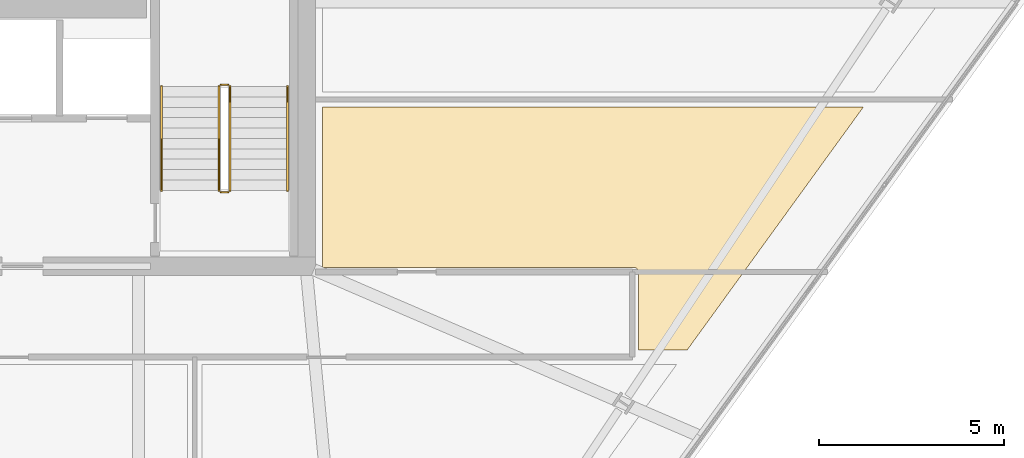
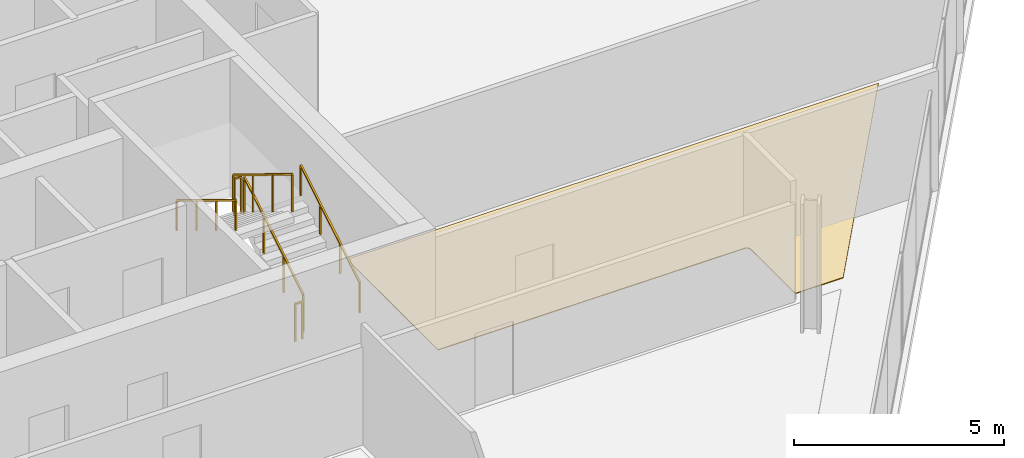
# One storey, part 27 of 29: 6 railings, 1 covering.
"""IFC4 building model written with IfcOpenShell, lengths in metres."""

from ifc_helpers import new_model, si_unit, direction, frame, origin, origin_2d, place, context, subcontext, project, spatial, polyline, rectangle, outline, extrude, material, layer, layer_set, type_object, element, save


model = new_model("IFC4")

# Units and contexts
model_context = context("Model", 3, precision=1e-05, world=origin(), true_north=direction((0.0, 1.0)))
body_context = subcontext(model_context, "Body", "Model", "MODEL_VIEW")
ifc_project = project(units=[si_unit("LENGTHUNIT", "METRE"), si_unit("AREAUNIT", "SQUARE_METRE"), si_unit("VOLUMEUNIT", "CUBIC_METRE"), si_unit("PLANEANGLEUNIT", "RADIAN"), si_unit("MASSUNIT", "GRAM", prefix="KILO")], contexts=[model_context])

# Site, building, storey
site_placement = place(None, origin())
site = spatial("IfcSite", under=ifc_project, at=site_placement, CompositionType="ELEMENT")
building_placement = place(site_placement, origin())
building = spatial("IfcBuilding", under=site, at=building_placement, Name="Haldenkirk Collegiate Tower", CompositionType="ELEMENT")
storey_placement = place(building_placement, frame((0.0, 0.0, 209.699951171875)))
storey = spatial("IfcBuildingStorey", under=building, at=storey_placement, Name="L52", CompositionType="ELEMENT", Elevation=209.699951171875)

# Covering
ifc_material_1 = material(Name="Engineered collegiate oak acoustic flooring", Category="wood")
ifc_layer = layer(ifc_material_1, 0.02197265625)
ifc_layer_set = layer_set([ifc_layer], Name="Engineered collegiate oak acoustic flooring")
covering_type = type_object("IfcCoveringType", Name="COV-FLOOR-TIMBER", PredefinedType="FLOORING", material=ifc_layer_set)
covering_placement = place(storey_placement, origin())
element("IfcCovering", 1, at=covering_placement, inside=storey, type_object=covering_type, Name="L52 academic room finish 09", PredefinedType="FLOORING", context=body_context, shape_type="SweptSolid", body=[
    extrude(outline(polyline([(55.285888671875, 15.75), (53.969970703125, 15.75), (53.969970703125, 17.85009765625), (53.969482421875, 17.86181640625), (53.9677734375, 17.873291015625), (53.96484375, 17.884765625), (53.9609375, 17.89599609375), (53.955810546875, 17.906494140625), (53.94970703125, 17.916748046875), (53.94287109375, 17.926025390625), (53.934814453125, 17.934814453125), (53.926025390625, 17.94287109375), (53.916748046875, 17.94970703125), (53.906494140625, 17.955810546875), (53.89599609375, 17.9609375), (53.884765625, 17.96484375), (53.873291015625, 17.9677734375), (53.86181640625, 17.969482421875), (53.85009765625, 17.969970703125), (45.449951171875, 17.969970703125), (45.449951171875, 22.300048828125), (60.035888671875, 22.300048828125), (55.285888671875, 15.75)])), origin(), (0.0, 0.0, 1.0), 0.02197265625),
])

# Railings
ifc_material_2 = material(Name="Painted architectural tubular steel", Category="steel")
railing_type_1 = type_object("IfcRailingType", Name="RLG-STAIR-GUARD-1100", PredefinedType="BALUSTRADE", material=ifc_material_2)
railing_1_placement = place(storey_placement, frame((42.949951171875, 20.050048828125, 0.17041015625)))
element("IfcRailing", 2, at=railing_1_placement, inside=storey, type_object=railing_type_1, Name="L52 ST-2 stair guard 1", PredefinedType="BALUSTRADE", context=body_context, shape_type="SweptSolid", body=[
    extrude(rectangle(XDim=0.048095703125, YDim=0.048095703125, at=origin_2d()), frame((0.0, 0.0, 1.076171875), z_axis=(0.0, 0.854169791009, 0.51999420009), x_axis=(-1.0, 0.0, 0.0)), (0.0, 0.0, 1.0), 3.278076171875),
    extrude(rectangle(XDim=0.0419921875, YDim=0.0419921875, at=origin_2d()), origin(), (0.0, 0.0, 1.0), 1.052001953125),
    extrude(rectangle(XDim=0.0419921875, YDim=0.0419921875, at=origin_2d()), frame((0.0, 0.933349609375, 0.568115234375)), (0.0, 0.0, 1.0), 1.052001953125),
    extrude(rectangle(XDim=0.0419921875, YDim=0.0419921875, at=origin_2d()), frame((0.0, 1.86669921875, 1.136474609375)), (0.0, 0.0, 1.0), 1.052001953125),
    extrude(rectangle(XDim=0.0419921875, YDim=0.0419921875, at=origin_2d()), frame((0.0, 2.800048828125, 1.70458984375)), (0.0, 0.0, 1.0), 1.052001953125),
])
railing_2_placement = place(storey_placement, frame((42.89990234375, 22.89990234375, 1.875)))
element("IfcRailing", 3, at=railing_2_placement, inside=storey, type_object=railing_type_1, Name="L52 ST-2 stair guard 2", PredefinedType="BALUSTRADE", context=body_context, shape_type="SweptSolid", body=[
    extrude(rectangle(XDim=0.048095703125, YDim=0.048095703125, at=origin_2d()), frame((0.0, 0.0, 1.076171875), z_axis=(-1.0, 0.0, 0.0), x_axis=(0.0, -1.0, 0.0)), (0.0, 0.0, 1.0), 0.199951171875),
    extrude(rectangle(XDim=0.0419921875, YDim=0.0419921875, at=origin_2d()), origin(), (0.0, 0.0, 1.0), 1.052001953125),
    extrude(rectangle(XDim=0.0419921875, YDim=0.0419921875, at=origin_2d()), frame((-0.199951171875, 0.0, 0.0)), (0.0, 0.0, 1.0), 1.052001953125),
])
railing_3_placement = place(storey_placement, frame((42.64990234375, 22.85009765625, 2.04541015625)))
element("IfcRailing", 4, at=railing_3_placement, inside=storey, type_object=railing_type_1, Name="L52 ST-2 stair guard 3", PredefinedType="BALUSTRADE", context=body_context, shape_type="SweptSolid", body=[
    extrude(rectangle(XDim=0.048095703125, YDim=0.048095703125, at=origin_2d()), frame((0.0, 0.0, 1.076171875), z_axis=(0.0, -0.854169791009, 0.51999420009), x_axis=(1.0, 0.0, 0.0)), (0.0, 0.0, 1.0), 3.278076171875),
    extrude(rectangle(XDim=0.0419921875, YDim=0.0419921875, at=origin_2d()), origin(), (0.0, 0.0, 1.0), 1.052001953125),
    extrude(rectangle(XDim=0.0419921875, YDim=0.0419921875, at=origin_2d()), frame((0.0, -0.933349609375, 0.568115234375)), (0.0, 0.0, 1.0), 1.052001953125),
    extrude(rectangle(XDim=0.0419921875, YDim=0.0419921875, at=origin_2d()), frame((0.0, -1.86669921875, 1.136474609375)), (0.0, 0.0, 1.0), 1.052001953125),
    extrude(rectangle(XDim=0.0419921875, YDim=0.0419921875, at=origin_2d()), frame((0.0, -2.800048828125, 1.70458984375)), (0.0, 0.0, 1.0), 1.052001953125),
])
railing_4_placement = place(storey_placement, frame((42.89990234375, 20.0, 0.0)))
element("IfcRailing", 5, at=railing_4_placement, inside=storey, type_object=railing_type_1, Name="L52 ST-2 stair guard 4", PredefinedType="BALUSTRADE", context=body_context, shape_type="SweptSolid", body=[
    extrude(rectangle(XDim=0.048095703125, YDim=0.048095703125, at=origin_2d()), frame((0.0, 0.0, 1.076171875), z_axis=(-1.0, 0.0, 0.0), x_axis=(0.0, -1.0, 0.0)), (0.0, 0.0, 1.0), 0.199951171875),
    extrude(rectangle(XDim=0.0419921875, YDim=0.0419921875, at=origin_2d()), origin(), (0.0, 0.0, 1.0), 1.052001953125),
    extrude(rectangle(XDim=0.0419921875, YDim=0.0419921875, at=origin_2d()), frame((-0.199951171875, 0.0, 0.0)), (0.0, 0.0, 1.0), 1.052001953125),
])
railing_type_2 = type_object("IfcRailingType", Name="RLG-STAIR-HANDRAIL-900", PredefinedType="HANDRAIL", material=ifc_material_2)
railing_5_placement = place(storey_placement, frame((44.5, 20.050048828125, 0.17041015625)))
element("IfcRailing", 6, at=railing_5_placement, inside=storey, type_object=railing_type_2, Name="L52 ST-2 stair handrail 1", PredefinedType="HANDRAIL", context=body_context, shape_type="SweptSolid", body=[
    extrude(rectangle(XDim=0.048095703125, YDim=0.048095703125, at=origin_2d()), frame((0.0, 0.0, 0.8759765625), z_axis=(0.0, 0.854169791009, 0.51999420009), x_axis=(-1.0, 0.0, 0.0)), (0.0, 0.0, 1.0), 3.278076171875),
    extrude(rectangle(XDim=0.0419921875, YDim=0.0419921875, at=origin_2d()), origin(), (0.0, 0.0, 1.0), 0.851806640625),
    extrude(rectangle(XDim=0.0419921875, YDim=0.0419921875, at=origin_2d()), frame((0.0, 0.933349609375, 0.568115234375)), (0.0, 0.0, 1.0), 0.851806640625),
    extrude(rectangle(XDim=0.0419921875, YDim=0.0419921875, at=origin_2d()), frame((0.0, 1.86669921875, 1.136474609375)), (0.0, 0.0, 1.0), 0.851806640625),
    extrude(rectangle(XDim=0.0419921875, YDim=0.0419921875, at=origin_2d()), frame((0.0, 2.800048828125, 1.70458984375)), (0.0, 0.0, 1.0), 0.851806640625),
])
railing_6_placement = place(storey_placement, frame((41.10009765625, 22.85009765625, 2.04541015625)))
element("IfcRailing", 7, at=railing_6_placement, inside=storey, type_object=railing_type_2, Name="L52 ST-2 stair handrail 2", PredefinedType="HANDRAIL", context=body_context, shape_type="SweptSolid", body=[
    extrude(rectangle(XDim=0.048095703125, YDim=0.048095703125, at=origin_2d()), frame((0.0, 0.0, 0.8759765625), z_axis=(0.0, -0.854169791009, 0.51999420009), x_axis=(1.0, 0.0, 0.0)), (0.0, 0.0, 1.0), 3.278076171875),
    extrude(rectangle(XDim=0.0419921875, YDim=0.0419921875, at=origin_2d()), origin(), (0.0, 0.0, 1.0), 0.851806640625),
    extrude(rectangle(XDim=0.0419921875, YDim=0.0419921875, at=origin_2d()), frame((0.0, -0.933349609375, 0.568115234375)), (0.0, 0.0, 1.0), 0.851806640625),
    extrude(rectangle(XDim=0.0419921875, YDim=0.0419921875, at=origin_2d()), frame((0.0, -1.86669921875, 1.136474609375)), (0.0, 0.0, 1.0), 0.851806640625),
    extrude(rectangle(XDim=0.0419921875, YDim=0.0419921875, at=origin_2d()), frame((0.0, -2.800048828125, 1.70458984375)), (0.0, 0.0, 1.0), 0.851806640625),
])

save(model, "model.ifc")
